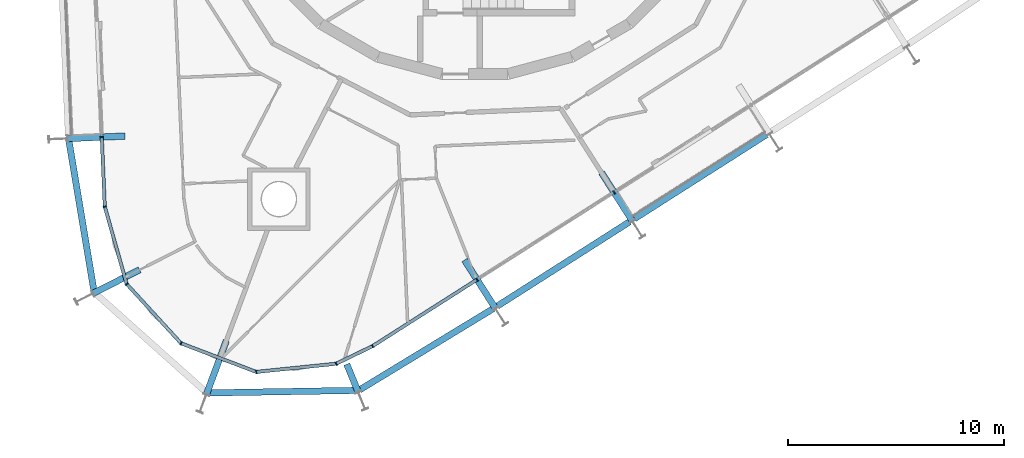
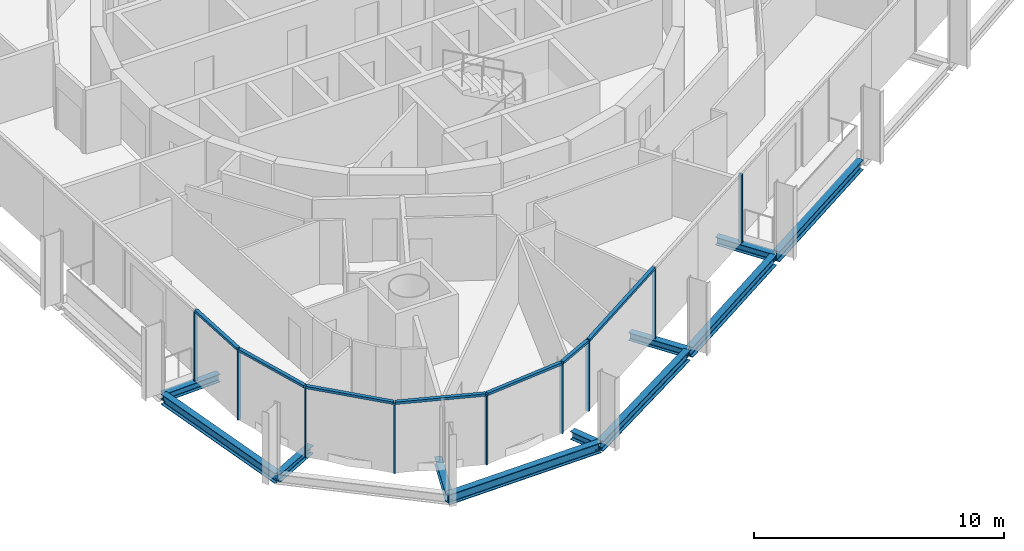
# One storey, part 2 of 17: 16 members, 11 beams, 2 elements without a shape of their own.
"""IFC4 building model written with IfcOpenShell, lengths in metres."""

import ifcopenshell
import ifcopenshell.guid

model = None  # the IFC model being written
_history = None  # IfcOwnerHistory: only IFC2X3 demands one
_inside = {}  # id of a spatial element -> (the spatial element, [elements in it])
_under = {}  # id of a project, library or spatial element -> (it, [spatial elements below it])
_declared = {}  # id of a project -> (the project, [libraries it declares])
_typed = {}  # id of a type object -> (the type object, [elements of that type])
_made_of = {}  # id of a material, layer set ... -> (it, [elements and type objects made of it])


def new_model(schema):
    """Start an empty IFC model of exactly this schema.

    Asked for "IFC4X3", IfcOpenShell would pick the latest addendum, in which some entities
    have other attributes; the version numbers below select the first issue.
    IFC2X3 requires an IfcOwnerHistory on every rooted entity: one is made here for all.
    """
    global model, _history
    if schema == "IFC4X3":
        model = ifcopenshell.file(schema_version=(4, 3, 0, 0))
    else:
        model = ifcopenshell.file(schema=schema)
    _inside.clear()
    _under.clear()
    _declared.clear()
    _typed.clear()
    _made_of.clear()
    _history = None
    if model.schema == "IFC2X3":
        org = make("IfcOrganization", Name="unknown")
        user = make(
            "IfcPersonAndOrganization",
            ThePerson=make("IfcPerson", FamilyName="unknown"),
            TheOrganization=org,
        )
        app = make(
            "IfcApplication",
            ApplicationDeveloper=org,
            Version="unknown",
            ApplicationFullName="unknown",
            ApplicationIdentifier="unknown",
        )
        _history = make(
            "IfcOwnerHistory",
            OwningUser=user,
            OwningApplication=app,
            ChangeAction="ADDED",
            CreationDate=0,
        )
    return model


def make(cls, **values):
    """One entity of the class cls with the attributes given. An attribute that is None is left unset."""
    return model.create_entity(
        cls, **{name: value for name, value in values.items() if value is not None}
    )


def rooted(cls, **values):
    """An entity with a GlobalId (a new one), such as an element, a storey or a relation."""
    return make(cls, GlobalId=ifcopenshell.guid.new(), OwnerHistory=_history, **values)


def si_unit(unit_type, name, prefix=None):
    """IfcSIUnit, for example si_unit("LENGTHUNIT", "METRE", prefix="MILLI")."""
    return make("IfcSIUnit", UnitType=unit_type, Prefix=prefix, Name=name)


def assignment(units):
    """IfcUnitAssignment: the units of a project."""
    return None if units is None else make("IfcUnitAssignment", Units=units)


def point(xyz):
    """IfcCartesianPoint."""
    return None if xyz is None else make("IfcCartesianPoint", Coordinates=xyz)


def direction(xyz):
    """IfcDirection."""
    return None if xyz is None else make("IfcDirection", DirectionRatios=xyz)


def frame(location, z_axis=None, x_axis=None):
    """IfcAxis2Placement3D, a coordinate frame: its origin and axes. An axis left out is left unset."""
    return make(
        "IfcAxis2Placement3D",
        Location=point(location),
        Axis=direction(z_axis),
        RefDirection=direction(x_axis),
    )


def frame_2d(location, x_axis=None):
    """IfcAxis2Placement2D, a coordinate frame in the plane: its origin and x axis."""
    return make(
        "IfcAxis2Placement2D", Location=point(location), RefDirection=direction(x_axis)
    )


def origin():
    """The frame at (0, 0, 0) with its axes left unset."""
    return frame((0.0, 0.0, 0.0))


def origin_2d():
    """The frame at (0, 0) in the plane with its x axis left unset."""
    return frame_2d((0.0, 0.0))


def place(relative_to, where):
    """IfcLocalPlacement: puts the frame where relative to a parent placement (None: the world)."""
    return make(
        "IfcLocalPlacement", PlacementRelTo=relative_to, RelativePlacement=where
    )


def context(
    kind, dimensions, precision=None, world=None, true_north=None, identifier=None
):
    """IfcGeometricRepresentationContext, for example the 3D "Model" context."""
    return make(
        "IfcGeometricRepresentationContext",
        ContextIdentifier=identifier,
        ContextType=kind,
        CoordinateSpaceDimension=dimensions,
        Precision=precision,
        WorldCoordinateSystem=world,
        TrueNorth=true_north,
    )


def subcontext(parent, identifier, kind, view, scale=None):
    """IfcGeometricRepresentationSubContext, for example "Body" below "Model"."""
    return make(
        "IfcGeometricRepresentationSubContext",
        ContextIdentifier=identifier,
        ContextType=kind,
        ParentContext=parent,
        TargetScale=scale,
        TargetView=view,
    )


def project(units=None, contexts=None):
    """IfcProject with its units and contexts."""
    return rooted(
        "IfcProject",
        Name="project",
        RepresentationContexts=contexts,
        UnitsInContext=assignment(units),
    )


def spatial(cls, under=None, at=None, **own):
    """A site, building, storey or space (cls), placed at a placement, below another one or the project."""
    s = rooted(cls, ObjectPlacement=at, **own)
    if under is not None:
        _under.setdefault(under.id(), (under, []))[1].append(s)
    return s


def profile(cls, at=None, kind="AREA", **sizes):
    """A parametric profile (cls). Its sizes go by their IFC names, for example OverallWidth=200.0."""
    return make(cls, ProfileType=kind, Position=at, **sizes)


def rectangle(**sizes):
    """IfcRectangleProfileDef."""
    return profile("IfcRectangleProfileDef", **sizes)


def i_section(**sizes):
    """IfcIShapeProfileDef."""
    return profile("IfcIShapeProfileDef", **sizes)


def extrude(swept, where, along, depth):
    """IfcExtrudedAreaSolid: the profile swept, set in the frame where, extruded along a direction by depth."""
    return make(
        "IfcExtrudedAreaSolid",
        SweptArea=swept,
        Position=where,
        ExtrudedDirection=direction(along),
        Depth=depth,
    )


def shape(context_of_items, identifier, shape_type, items):
    """IfcShapeRepresentation: the items that make up one representation, for example the "Body"."""
    return make(
        "IfcShapeRepresentation",
        ContextOfItems=context_of_items,
        RepresentationIdentifier=identifier,
        RepresentationType=shape_type,
        Items=items,
    )


def material(Name=None, Category=None):
    """IfcMaterial."""
    return make("IfcMaterial", Name=Name, Category=Category)


def layer(
    of_material, thickness, ventilated=None, Name=None, Category=None, Priority=None
):
    """IfcMaterialLayer: one layer of a wall or slab, of a material (None: an air gap)."""
    return make(
        "IfcMaterialLayer",
        Material=of_material,
        LayerThickness=thickness,
        IsVentilated=ventilated,
        Name=Name,
        Category=Category,
        Priority=Priority,
    )


def layer_set(layers, Name=None):
    """IfcMaterialLayerSet."""
    return make("IfcMaterialLayerSet", MaterialLayers=layers, LayerSetName=Name)


def material_profile(
    of_material, cross_section, Name=None, Category=None, Priority=None
):
    """IfcMaterialProfile: a cross section and its material."""
    return make(
        "IfcMaterialProfile",
        Name=Name,
        Material=of_material,
        Profile=cross_section,
        Priority=Priority,
        Category=Category,
    )


def profile_set(profiles, Name=None, composite=None):
    """IfcMaterialProfileSet."""
    return make(
        "IfcMaterialProfileSet",
        Name=Name,
        MaterialProfiles=profiles,
        CompositeProfile=composite,
    )


def made_of(thing, what):
    """Note that an element or type object is made of a material, layer set ...; save() writes the relation."""
    if what is not None:
        _made_of.setdefault(what.id(), (what, []))[1].append(thing)
    return thing


def type_object(cls, material=None, **own):
    """A type object (cls), such as IfcWallType, which elements share."""
    return made_of(rooted(cls, **own), material)


def element(
    cls,
    number,
    at=None,
    inside=None,
    cuts=None,
    type_object=None,
    material=None,
    context=None,
    identifier="Body",
    shape_type=None,
    held_by="IfcProductDefinitionShape",
    body=None,
    shapes=None,
    **own,
):
    """One element of the class cls, such as IfcWall. Its Tag is "e" and its number.

    at: its placement. inside: the storey or other place that contains it. cuts: it is an
    opening in that element (IfcRelVoidsElement). A single representation is given by context,
    identifier, shape_type and body (its items); several are given by shapes. held_by: the class
    of the entity that holds the representations. save() writes the other relations.
    """
    e = rooted(cls, Tag="e%d" % number, ObjectPlacement=at, **own)
    if body is not None:
        shapes = [shape(context, identifier, shape_type, body)]
    if shapes is not None:
        e.Representation = make(held_by, Representations=shapes)
    if inside is not None:
        _inside.setdefault(inside.id(), (inside, []))[1].append(e)
    if cuts is not None:
        rooted(
            "IfcRelVoidsElement", RelatingBuildingElement=cuts, RelatedOpeningElement=e
        )
    if type_object is not None:
        _typed.setdefault(type_object.id(), (type_object, []))[1].append(e)
    return made_of(e, material)


def aggregate(whole, parts):
    """IfcRelAggregates: a whole, such as a stair, and the parts it consists of."""
    return rooted("IfcRelAggregates", RelatingObject=whole, RelatedObjects=parts)


def save(model, path):
    """Write the relations noted so far, then the file.

    IfcRelAggregates (storeys below a building ...), IfcRelContainedInSpatialStructure (elements
    in a storey), IfcRelDefinesByType, IfcRelAssociatesMaterial and IfcRelDeclares: one each for
    every whole, place, type object, material and project.
    """
    for whole, parts in _under.values():
        aggregate(whole, parts)
    for where, things in _inside.values():
        rooted(
            "IfcRelContainedInSpatialStructure",
            RelatedElements=things,
            RelatingStructure=where,
        )
    for kind, things in _typed.values():
        rooted("IfcRelDefinesByType", RelatedObjects=things, RelatingType=kind)
    for what, things in _made_of.values():
        rooted("IfcRelAssociatesMaterial", RelatedObjects=things, RelatingMaterial=what)
    for by, libraries in _declared.values():
        rooted("IfcRelDeclares", RelatingContext=by, RelatedDefinitions=libraries)
    model.write(path)


model = new_model("IFC4")

# Units and contexts
model_context = context("Model", 3, precision=1e-05, world=origin(), true_north=direction((0.0, 1.0)))
body_context = subcontext(model_context, "Body", "Model", "MODEL_VIEW")
ifc_project = project(units=[si_unit("LENGTHUNIT", "METRE"), si_unit("AREAUNIT", "SQUARE_METRE"), si_unit("VOLUMEUNIT", "CUBIC_METRE"), si_unit("PLANEANGLEUNIT", "RADIAN"), si_unit("MASSUNIT", "GRAM", prefix="KILO")], contexts=[model_context])

# Site, building, storey
site_placement = place(None, origin())
site = spatial("IfcSite", under=ifc_project, at=site_placement, CompositionType="ELEMENT")
building_placement = place(site_placement, origin())
building = spatial("IfcBuilding", under=site, at=building_placement, Name="Spindle Arch Residences", CompositionType="ELEMENT")
storey_placement = place(building_placement, frame((0.0, 0.0, 244.199951171875)))
storey = spatial("IfcBuildingStorey", under=building, at=storey_placement, Name="L62", CompositionType="ELEMENT", Elevation=244.199951171875)

# Curtain wall, members
ifc_material_1 = material(Name="Aluminium bronze unitised frame with tinted glass", Category="aluminium")
ifc_layer_1 = layer(ifc_material_1, 0.159912109375)
ifc_layer_set_1 = layer_set([ifc_layer_1], Name="CW-D corner wall on the fillet arcs")
curtain_wall_type_1 = type_object("IfcCurtainWallType", Name="CW-D corner wall on the fillet arcs", PredefinedType="NOTDEFINED", material=ifc_layer_set_1)
curtain_wall_1_placement = place(storey_placement, origin())
curtain_wall_1 = element("IfcCurtainWall", 1, at=curtain_wall_1_placement, inside=storey, type_object=curtain_wall_type_1, Name="CW-D L62 run 5", PredefinedType="NOTDEFINED")
ifc_material_2 = material(Name="Aluminium bronze anodised mullion", Category="aluminium")
ifc_material_profile_1 = material_profile(ifc_material_2, rectangle(XDim=0.159912109375, YDim=0.06005859375, at=origin_2d()), Name="MU 60x160")
ifc_profile_set_1 = profile_set([ifc_material_profile_1], Name="Aluminium bronze anodised mullion")
member_type_1 = type_object("IfcMemberType", Name="Bronze mullion 60x160", PredefinedType="MULLION", material=ifc_profile_set_1)
member_1_placement = place(storey_placement, frame((-17.295166015625, -14.573486328125, -0.3798828125), z_axis=(0.0, 0.0, 1.0), x_axis=(0.999048221582, 0.043619387365, 0.0)))
member_1 = element("IfcMember", 2, at=member_1_placement, type_object=member_type_1, Name="CW-D mullion 00", PredefinedType="MULLION", context=body_context, shape_type="SweptSolid", body=[
    extrude(rectangle(XDim=0.159912109375, YDim=0.06005859375, at=origin_2d()), origin(), (0.0, 0.0, 1.0), 3.3798828125),
])
member_2_placement = place(storey_placement, frame((-17.154296875, -17.798828125, -0.3798828125), z_axis=(0.0, 0.0, 1.0), x_axis=(0.962059424213, 0.272839997585, 0.0)))
member_2 = element("IfcMember", 3, at=member_2_placement, type_object=member_type_1, Name="CW-D mullion 01", PredefinedType="MULLION", context=body_context, shape_type="SweptSolid", body=[
    extrude(rectangle(XDim=0.159912109375, YDim=0.06005859375, at=origin_2d()), origin(), (0.0, 0.0, 1.0), 3.3798828125),
])
member_3_placement = place(storey_placement, frame((-16.137451171875, -21.384033203125, -0.3798828125), z_axis=(0.0, 0.0, 1.0), x_axis=(0.737277336881, 0.675590207538, 0.0)))
member_3 = element("IfcMember", 4, at=member_3_placement, type_object=member_type_1, Name="CW-D mullion 02", PredefinedType="MULLION", context=body_context, shape_type="SweptSolid", body=[
    extrude(rectangle(XDim=0.159912109375, YDim=0.06005859375, at=origin_2d()), origin(), (0.0, 0.0, 1.0), 3.3798828125),
])
member_4_placement = place(storey_placement, frame((-13.61962890625, -24.1318359375, -0.3798828125), z_axis=(0.0, 0.0, 1.0), x_axis=(0.355650760994, 0.934618925661, 0.0)))
member_4 = element("IfcMember", 5, at=member_4_placement, type_object=member_type_1, Name="CW-D mullion 03", PredefinedType="MULLION", context=body_context, shape_type="SweptSolid", body=[
    extrude(rectangle(XDim=0.159912109375, YDim=0.06005859375, at=origin_2d()), origin(), (0.0, 0.0, 1.0), 3.3798828125),
])
member_5_placement = place(storey_placement, frame((-10.13671875, -25.457275390625, -0.3798828125), z_axis=(0.0, 0.0, 1.0), x_axis=(-0.10163508092, 0.994821748016, 0.0)))
member_5 = element("IfcMember", 6, at=member_5_placement, type_object=member_type_1, Name="CW-D mullion 04", PredefinedType="MULLION", context=body_context, shape_type="SweptSolid", body=[
    extrude(rectangle(XDim=0.159912109375, YDim=0.06005859375, at=origin_2d()), origin(), (0.0, 0.0, 1.0), 3.3798828125),
])
member_6_placement = place(storey_placement, frame((-6.42919921875, -25.078369140625, -0.3798828125), z_axis=(0.0, 0.0, 1.0), x_axis=(-0.435754813823, 0.900065409973, 0.0)))
member_6 = element("IfcMember", 7, at=member_6_placement, type_object=member_type_1, Name="CW-D mullion 05", PredefinedType="MULLION", context=body_context, shape_type="SweptSolid", body=[
    extrude(rectangle(XDim=0.159912109375, YDim=0.06005859375, at=origin_2d()), origin(), (0.0, 0.0, 1.0), 3.3798828125),
])
member_7_placement = place(storey_placement, frame((-4.74072265625, -24.260986328125, -0.3798828125), z_axis=(0.0, 0.0, 1.0), x_axis=(-0.537299608347, 0.843391445813, 0.0)))
member_7 = element("IfcMember", 8, at=member_7_placement, type_object=member_type_1, Name="CW-D mullion 06", PredefinedType="MULLION", context=body_context, shape_type="SweptSolid", body=[
    extrude(rectangle(XDim=0.159912109375, YDim=0.06005859375, at=origin_2d()), origin(), (0.0, 0.0, 1.0), 3.3798828125),
])

ifc_material_3 = material(Name="Aluminium bronze unitised frame with tinted glass", Category="aluminium")
ifc_layer_2 = layer(ifc_material_3, 0.159912109375)
ifc_layer_set_2 = layer_set([ifc_layer_2], Name="CW-C typical residential unitised wall")
curtain_wall_type_2 = type_object("IfcCurtainWallType", Name="CW-C typical residential unitised wall", PredefinedType="NOTDEFINED", material=ifc_layer_set_2)
curtain_wall_2_placement = place(storey_placement, origin())
curtain_wall_2 = element("IfcCurtainWall", 9, at=curtain_wall_2_placement, inside=storey, type_object=curtain_wall_type_2, Name="CW-C L62 run 6", PredefinedType="NOTDEFINED")
member_8_placement = place(storey_placement, frame((0.09912109375, -21.177734375, -0.3798828125), z_axis=(0.0, 0.0, 1.0), x_axis=(-0.537299608347, 0.843391445813, 0.0)))
member_8 = element("IfcMember", 10, at=member_8_placement, type_object=member_type_1, Name="CW-C mullion 20", PredefinedType="MULLION", context=body_context, shape_type="SweptSolid", body=[
    extrude(rectangle(XDim=0.159912109375, YDim=0.06005859375, at=origin_2d()), origin(), (0.0, 0.0, 1.0), 3.3798828125),
])
member_9_placement = place(storey_placement, frame((6.449951171875, -17.1318359375, -0.3798828125), z_axis=(0.0, 0.0, 1.0), x_axis=(-0.537299608347, 0.843391445813, 0.0)))
member_9 = element("IfcMember", 11, at=member_9_placement, type_object=member_type_1, Name="CW-C mullion 21", PredefinedType="MULLION", context=body_context, shape_type="SweptSolid", body=[
    extrude(rectangle(XDim=0.159912109375, YDim=0.06005859375, at=origin_2d()), origin(), (0.0, 0.0, 1.0), 3.3798828125),
])
aggregate(curtain_wall_2, [member_8, member_9])

# Member
ifc_material_4 = material(Name="Aluminium bronze anodised transom", Category="aluminium")
ifc_material_profile_2 = material_profile(ifc_material_4, rectangle(XDim=0.159912109375, YDim=0.1201171875, at=origin_2d()), Name="TR 120x160")
ifc_profile_set_2 = profile_set([ifc_material_profile_2], Name="Aluminium bronze anodised transom")
member_type_2 = type_object("IfcMemberType", Name="Bronze transom 120x160", PredefinedType="USERDEFINED", material=ifc_profile_set_2)
member_10_placement = place(storey_placement, frame((-17.293701171875, -14.603271484375, 3.06005859375), z_axis=(0.043611098121, -0.999048583464, 0.0), x_axis=(0.999048583464, 0.043611098121, 0.0)))
member_10 = element("IfcMember", 12, at=member_10_placement, type_object=member_type_2, Name="CW-D transom 00", ObjectType="TRANSOM", PredefinedType="USERDEFINED", context=body_context, shape_type="SweptSolid", body=[
    extrude(rectangle(XDim=0.159912109375, YDim=0.1201171875, at=origin_2d()), origin(), (0.0, 0.0, 1.0), 3.16845703125),
])

member_11_placement = place(storey_placement, frame((-17.146240234375, -17.82763671875, 3.06005859375), z_axis=(0.272856293247, -0.962054802616, 0.0), x_axis=(0.962054802616, 0.272856293247, 0.0)))
member_11 = element("IfcMember", 13, at=member_11_placement, type_object=member_type_2, Name="CW-D transom 01", ObjectType="TRANSOM", PredefinedType="USERDEFINED", context=body_context, shape_type="SweptSolid", body=[
    extrude(rectangle(XDim=0.159912109375, YDim=0.1201171875, at=origin_2d()), origin(), (0.0, 0.0, 1.0), 3.666748046875),
])

member_12_placement = place(storey_placement, frame((-16.1171875, -21.40625, 3.06005859375), z_axis=(0.675607033687, -0.737261918204, 0.0), x_axis=(0.737261918204, 0.675607033687, 0.0)))
member_12 = element("IfcMember", 14, at=member_12_placement, type_object=member_type_2, Name="CW-D transom 02", ObjectType="TRANSOM", PredefinedType="USERDEFINED", context=body_context, shape_type="SweptSolid", body=[
    extrude(rectangle(XDim=0.159912109375, YDim=0.1201171875, at=origin_2d()), origin(), (0.0, 0.0, 1.0), 3.666748046875),
])

member_13_placement = place(storey_placement, frame((-13.591796875, -24.142578125, 3.06005859375), z_axis=(0.934630056182, -0.355621509587, 0.0), x_axis=(0.355621509587, 0.934630056182, 0.0)))
member_13 = element("IfcMember", 15, at=member_13_placement, type_object=member_type_2, Name="CW-D transom 03", ObjectType="TRANSOM", PredefinedType="USERDEFINED", context=body_context, shape_type="SweptSolid", body=[
    extrude(rectangle(XDim=0.159912109375, YDim=0.1201171875, at=origin_2d()), origin(), (0.0, 0.0, 1.0), 3.666748046875),
])

member_14_placement = place(storey_placement, frame((-10.106689453125, -25.4541015625, 3.06005859375), z_axis=(0.994824669398, 0.101606481862, 0.0), x_axis=(-0.101606481862, 0.994824669398, 0.0)))
member_14 = element("IfcMember", 16, at=member_14_placement, type_object=member_type_2, Name="CW-D transom 04", ObjectType="TRANSOM", PredefinedType="USERDEFINED", context=body_context, shape_type="SweptSolid", body=[
    extrude(rectangle(XDim=0.159912109375, YDim=0.1201171875, at=origin_2d()), origin(), (0.0, 0.0, 1.0), 3.666748046875),
])

member_15_placement = place(storey_placement, frame((-6.402099609375, -25.0654296875, 3.06005859375), z_axis=(0.900028291694, 0.435831474484, 0.0), x_axis=(-0.435831474484, 0.900028291694, 0.0)))
member_15 = element("IfcMember", 17, at=member_15_placement, type_object=member_type_2, Name="CW-D transom 05", ObjectType="TRANSOM", PredefinedType="USERDEFINED", context=body_context, shape_type="SweptSolid", body=[
    extrude(rectangle(XDim=0.159912109375, YDim=0.1201171875, at=origin_2d()), origin(), (0.0, 0.0, 1.0), 1.816162109375),
])

member_16_placement = place(storey_placement, frame((-4.71533203125, -24.244873046875, 3.06005859375), z_axis=(0.843399381096, 0.537287152244, 0.0), x_axis=(-0.537287152244, 0.843399381096, 0.0)))
member_16 = element("IfcMember", 18, at=member_16_placement, type_object=member_type_2, Name="CW-D transom 06", ObjectType="TRANSOM", PredefinedType="USERDEFINED", context=body_context, shape_type="SweptSolid", body=[
    extrude(rectangle(XDim=0.159912109375, YDim=0.1201171875, at=origin_2d()), origin(), (0.0, 0.0, 1.0), 5.678466796875),
])

aggregate(curtain_wall_1, [member_1, member_10, member_2, member_11, member_3, member_12, member_4, member_13, member_5, member_14, member_6, member_15, member_7, member_16])

# Beams
ifc_material_5 = material(Name="Steel S460ML, intumescent coating R 120", Category="steel")
ifc_material_profile_3 = material_profile(ifc_material_5, i_section(OverallWidth=0.300048828125, OverallDepth=0.5, WebThickness=0.014404296875, FlangeThickness=0.028076171875, FilletRadius=0.027099609375, at=origin_2d()), Name="HEB 500")
ifc_profile_set_3 = profile_set([ifc_material_profile_3], Name="Steel S460ML, intumescent coating R 120")
beam_type_1 = type_object("IfcBeamType", Name="Exoskeleton edge beam HEB 500", PredefinedType="BEAM", material=ifc_profile_set_3)
beam_1_placement = place(storey_placement, frame((-18.82763671875, -14.66796875, -0.6298828125), z_axis=(0.164206425822, -0.986425998095, 0.0), x_axis=(0.986425998095, 0.164206425822, 0.0)))
element("IfcBeam", 19, at=beam_1_placement, inside=storey, type_object=beam_type_1, Name="Exoskeleton edge beam 17", PredefinedType="BEAM", context=body_context, shape_type="SweptSolid", body=[
    extrude(i_section(OverallWidth=0.300048828125, OverallDepth=0.5, WebThickness=0.014404296875, FlangeThickness=0.028076171875, FilletRadius=0.027099609375, at=origin_2d()), origin(), (0.0, 0.0, 1.0), 7.196044921875),
])
beam_2_placement = place(storey_placement, frame((-12.4775390625, -26.431884765625, -0.6298828125), z_axis=(0.999854421293, 0.017062714363, 0.0), x_axis=(-0.017062714363, 0.999854421293, 0.0)))
element("IfcBeam", 20, at=beam_2_placement, inside=storey, type_object=beam_type_1, Name="Exoskeleton edge beam 19", PredefinedType="BEAM", context=body_context, shape_type="SweptSolid", body=[
    extrude(i_section(OverallWidth=0.300048828125, OverallDepth=0.5, WebThickness=0.014404296875, FlangeThickness=0.028076171875, FilletRadius=0.027099609375, at=origin_2d()), origin(), (0.0, 0.0, 1.0), 7.096923828125),
])
beam_3_placement = place(storey_placement, frame((-5.353515625, -26.294921875, -0.6298828125), z_axis=(0.854518430604, 0.519421073656, 0.0), x_axis=(-0.519421073656, 0.854518430604, 0.0)))
element("IfcBeam", 21, at=beam_3_placement, inside=storey, type_object=beam_type_1, Name="Exoskeleton edge beam 20", PredefinedType="BEAM", context=body_context, shape_type="SweptSolid", body=[
    extrude(i_section(OverallWidth=0.300048828125, OverallDepth=0.5, WebThickness=0.014404296875, FlangeThickness=0.028076171875, FilletRadius=0.027099609375, at=origin_2d()), origin(), (0.0, 0.0, 1.0), 7.262451171875),
])
for number, where, z_axis, x_axis, name in (
    (22, (1.0361328125, -22.406494140625, -0.6298828125), (0.843406961456, 0.53727525289, 0.0), (-0.53727525289, 0.843406961456, 0.0), "Exoskeleton edge beam 21"),
    (23, (7.386962890625, -18.360595703125, -0.6298828125), (0.843406961456, 0.53727525289, 0.0), (-0.53727525289, 0.843406961456, 0.0), "Exoskeleton edge beam 22"),
):
    element("IfcBeam", number, at=place(storey_placement, frame(where, z_axis=z_axis, x_axis=x_axis)), inside=storey, type_object=beam_type_1, Name=name, PredefinedType="BEAM", context=body_context, shape_type="SweptSolid", body=[
        extrude(i_section(OverallWidth=0.300048828125, OverallDepth=0.5, WebThickness=0.014404296875, FlangeThickness=0.028076171875, FilletRadius=0.027099609375, at=origin_2d()), origin(), (0.0, 0.0, 1.0), 7.27001953125),
    ])
ifc_material_6 = material(Name="Steel S460ML, intumescent coating R 120", Category="steel")
ifc_material_profile_4 = material_profile(ifc_material_6, i_section(OverallWidth=0.300048828125, OverallDepth=0.389892578125, WebThickness=0.010986328125, FlangeThickness=0.01904296875, FilletRadius=0.027099609375, at=origin_2d()), Name="HEA 400")
ifc_profile_set_4 = profile_set([ifc_material_profile_4], Name="Steel S460ML, intumescent coating R 120")
beam_type_2 = type_object("IfcBeamType", Name="Floor outrigger HEA 400", PredefinedType="BEAM", material=ifc_profile_set_4)
beam_4_placement = place(storey_placement, frame((-18.863525390625, -14.641845703125, -0.574951171875), z_axis=(0.999049889571, 0.043581167368, 0.0), x_axis=(-0.043581167368, 0.999049889571, 0.0)))
element("IfcBeam", 24, at=beam_4_placement, inside=storey, type_object=beam_type_2, Name="Floor outrigger 17", PredefinedType="BEAM", context=body_context, shape_type="SweptSolid", body=[
    extrude(i_section(OverallWidth=0.300048828125, OverallDepth=0.389892578125, WebThickness=0.010986328125, FlangeThickness=0.01904296875, FilletRadius=0.027099609375, at=origin_2d()), origin(), (0.0, 0.0, 1.0), 2.649658203125),
])
beam_5_placement = place(storey_placement, frame((-17.687744140625, -21.812744140625, -0.574951171875), z_axis=(0.891781094186, 0.452467103835, 0.0), x_axis=(-0.452467103835, 0.891781094186, 0.0)))
element("IfcBeam", 25, at=beam_5_placement, inside=storey, type_object=beam_type_2, Name="Floor outrigger 18", PredefinedType="BEAM", context=body_context, shape_type="SweptSolid", body=[
    extrude(i_section(OverallWidth=0.300048828125, OverallDepth=0.389892578125, WebThickness=0.010986328125, FlangeThickness=0.01904296875, FilletRadius=0.027099609375, at=origin_2d()), origin(), (0.0, 0.0, 1.0), 2.4130859375),
])
beam_6_placement = place(storey_placement, frame((-12.442626953125, -26.4921875, -0.574951171875), z_axis=(0.348274434102, 0.937392617077, 0.0), x_axis=(-0.937392617077, 0.348274434102, 0.0)))
element("IfcBeam", 26, at=beam_6_placement, inside=storey, type_object=beam_type_2, Name="Floor outrigger 19", PredefinedType="BEAM", context=body_context, shape_type="SweptSolid", body=[
    extrude(i_section(OverallWidth=0.300048828125, OverallDepth=0.389892578125, WebThickness=0.010986328125, FlangeThickness=0.01904296875, FilletRadius=0.027099609375, at=origin_2d()), origin(), (0.0, 0.0, 1.0), 2.64990234375),
])
beam_7_placement = place(storey_placement, frame((-5.41455078125, -26.372314453125, -0.574951171875), z_axis=(-0.380108293875, 0.924941990034, 0.0), x_axis=(-0.924941990034, -0.380108293875, 0.0)))
element("IfcBeam", 27, at=beam_7_placement, inside=storey, type_object=beam_type_2, Name="Floor outrigger 20", PredefinedType="BEAM", context=body_context, shape_type="SweptSolid", body=[
    extrude(i_section(OverallWidth=0.300048828125, OverallDepth=0.389892578125, WebThickness=0.010986328125, FlangeThickness=0.01904296875, FilletRadius=0.027099609375, at=origin_2d()), origin(), (0.0, 0.0, 1.0), 1.37841796875),
])
for number, where, z_axis, x_axis, name in (
    (28, (0.942626953125, -22.501708984375, -0.574951171875), (-0.537316570745, 0.843380639334, 0.0), (-0.843380639334, -0.537316570745, 0.0), "Floor outrigger 21"),
    (29, (7.29345703125, -18.455810546875, -0.574951171875), (-0.537316570745, 0.843380639334, 0.0), (-0.843380639334, -0.537316570745, 0.0), "Floor outrigger 22"),
):
    element("IfcBeam", number, at=place(storey_placement, frame(where, z_axis=z_axis, x_axis=x_axis)), inside=storey, type_object=beam_type_2, Name=name, PredefinedType="BEAM", context=body_context, shape_type="SweptSolid", body=[
        extrude(i_section(OverallWidth=0.300048828125, OverallDepth=0.389892578125, WebThickness=0.010986328125, FlangeThickness=0.01904296875, FilletRadius=0.027099609375, at=origin_2d()), origin(), (0.0, 0.0, 1.0), 2.64990234375),
    ])

save(model, "model.ifc")
